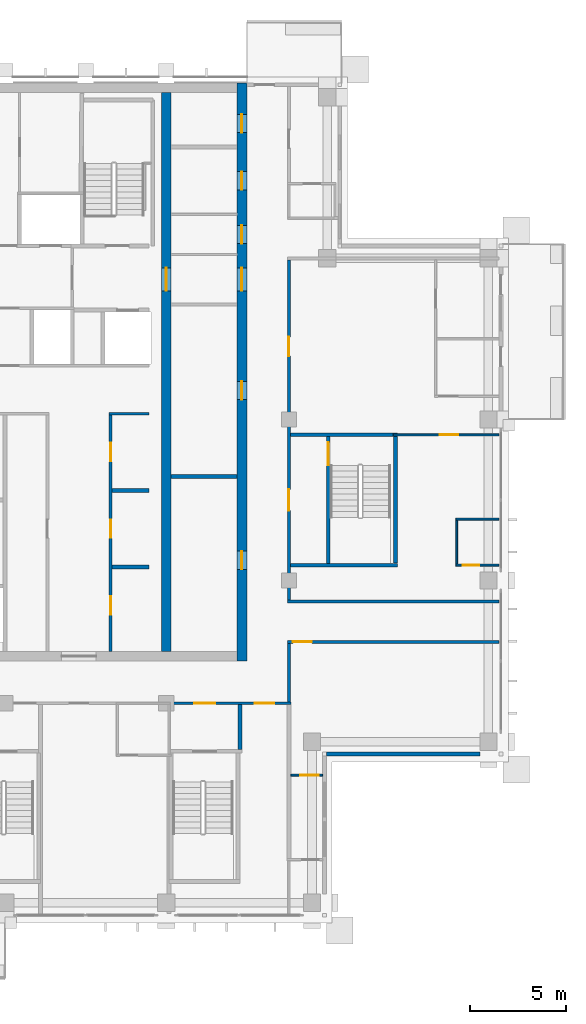
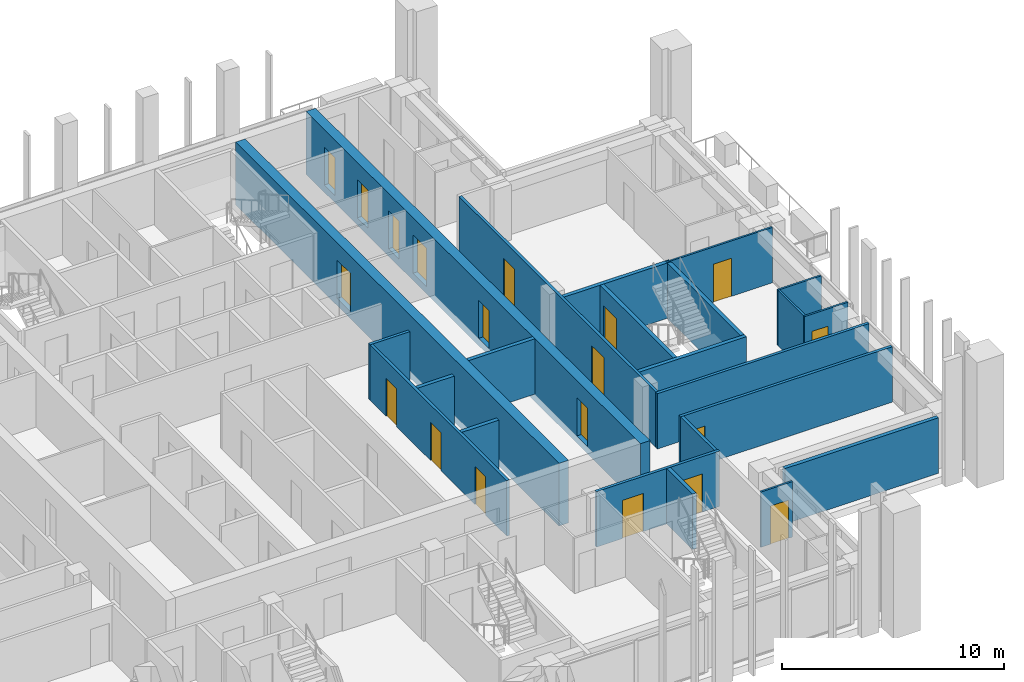
# One storey, part 9 of 16: 23 walls, 19 doors, 19 openings.
"""IFC4 building model written with IfcOpenShell, lengths in metres."""

from ifc_helpers import new_model, si_unit, direction, frame, frame_2d, origin, place, context, subcontext, project, spatial, rectangle, extrude, material, layer, layer_set, type_object, element, fill, save


model = new_model("IFC4")

# Units and contexts
model_context = context("Model", 3, precision=1e-05, world=origin(), true_north=direction((0.0, 1.0)))
body_context = subcontext(model_context, "Body", "Model", "MODEL_VIEW")
ifc_project = project(units=[si_unit("LENGTHUNIT", "METRE"), si_unit("AREAUNIT", "SQUARE_METRE"), si_unit("VOLUMEUNIT", "CUBIC_METRE"), si_unit("PLANEANGLEUNIT", "RADIAN"), si_unit("MASSUNIT", "GRAM", prefix="KILO")], contexts=[model_context])

# Site, building, storey
site_placement = place(None, origin())
site = spatial("IfcSite", under=ifc_project, at=site_placement, CompositionType="ELEMENT")
building_placement = place(site_placement, origin())
building = spatial("IfcBuilding", under=site, at=building_placement, Name="Vermilion Ogive Tower", CompositionType="ELEMENT")
storey_placement = place(building_placement, frame((0.0, 0.0, 233.800048828125)))
storey = spatial("IfcBuildingStorey", under=building, at=storey_placement, Name="L61", CompositionType="ELEMENT", Elevation=233.800048828125)

# Wall, openings, doors
ifc_material_1 = material(Name="Concrete B60", Category="concrete")
ifc_layer_1 = layer(ifc_material_1, 0.5)
ifc_layer_set_1 = layer_set([ifc_layer_1], Name="Core wall 500 B60")
wall_type_1 = type_object("IfcWallType", Name="Core wall 500 B60", PredefinedType="SHEAR", material=ifc_layer_set_1)
wall_1_placement = place(storey_placement, frame((12.35009765625, -8.39990234375, -0.400146484375), z_axis=(0.0, 0.0, 1.0), x_axis=(0.0, 1.0, 0.0)))
wall_1 = element("IfcWall", 1, at=wall_1_placement, inside=storey, type_object=wall_type_1, Name="L61-CORE-E", PredefinedType="SHEAR", context=body_context, shape_type="SweptSolid", body=[
    extrude(rectangle(XDim=30.14990234375, YDim=0.5, at=frame_2d((15.074951171875, 0.0))), origin(), (0.0, 0.0, 1.0), 3.4501953125),
])
opening_1_placement = place(wall_1_placement, frame((4.78759765625, 0.0, 0.39990234375)))
opening_1 = element("IfcOpeningElement", 2, at=opening_1_placement, cuts=wall_1, Name="Opening DAC106", PredefinedType="OPENING", context=body_context, shape_type="SweptSolid", body=[
    extrude(rectangle(XDim=0.949951171875, YDim=2.10009765625, at=frame_2d((0.47509765625, 1.050048828125))), frame((0.0, 0.260009765625, 0.0), z_axis=(0.0, -1.0, 0.0), x_axis=(1.0, 0.0, 0.0)), (0.0, 0.0, 1.0), 0.52001953125),
])
opening_2_placement = place(wall_1_placement, frame((13.6376953125, 0.0, 0.39990234375)))
opening_2 = element("IfcOpeningElement", 3, at=opening_2_placement, cuts=wall_1, Name="Opening DAC107", PredefinedType="OPENING", context=body_context, shape_type="SweptSolid", body=[
    extrude(rectangle(XDim=0.949951171875, YDim=2.10009765625, at=frame_2d((0.47509765625, 1.050048828125))), frame((0.0, 0.260009765625, 0.0), z_axis=(0.0, -1.0, 0.0), x_axis=(1.0, 0.0, 0.0)), (0.0, 0.0, 1.0), 0.52001953125),
])
opening_3_placement = place(wall_1_placement, frame((21.7705078125, 0.0, 0.39990234375)))
opening_3 = element("IfcOpeningElement", 4, at=opening_3_placement, cuts=wall_1, Name="Opening DAC108", PredefinedType="OPENING", context=body_context, shape_type="SweptSolid", body=[
    extrude(rectangle(XDim=0.949951171875, YDim=2.10009765625, at=frame_2d((0.47509765625, 1.050048828125))), frame((0.0, 0.260009765625, 0.0), z_axis=(0.0, -1.0, 0.0), x_axis=(1.0, 0.0, 0.0)), (0.0, 0.0, 1.0), 0.52001953125),
])
opening_4_placement = place(wall_1_placement, frame((24.57568359375, 0.0, 0.39990234375)))
opening_4 = element("IfcOpeningElement", 5, at=opening_4_placement, cuts=wall_1, Name="Opening DAC109", PredefinedType="OPENING", context=body_context, shape_type="SweptSolid", body=[
    extrude(rectangle(XDim=0.949951171875, YDim=2.10009765625, at=frame_2d((0.47509765625, 1.050048828125))), frame((0.0, 0.260009765625, 0.0), z_axis=(0.0, -1.0, 0.0), x_axis=(1.0, 0.0, 0.0)), (0.0, 0.0, 1.0), 0.52001953125),
])
opening_5_placement = place(wall_1_placement, frame((27.555419921875, 0.0, 0.39990234375)))
opening_5 = element("IfcOpeningElement", 6, at=opening_5_placement, cuts=wall_1, Name="Opening DAC110", PredefinedType="OPENING", context=body_context, shape_type="SweptSolid", body=[
    extrude(rectangle(XDim=0.949951171875, YDim=2.10009765625, at=frame_2d((0.47509765625, 1.050048828125))), frame((0.0, 0.260009765625, 0.0), z_axis=(0.0, -1.0, 0.0), x_axis=(1.0, 0.0, 0.0)), (0.0, 0.0, 1.0), 0.52001953125),
])
opening_6_placement = place(wall_1_placement, frame((19.300048828125, 0.0, 0.39990234375)))
opening_6 = element("IfcOpeningElement", 7, at=opening_6_placement, cuts=wall_1, Name="Opening DAL025", PredefinedType="OPENING", context=body_context, shape_type="SweptSolid", body=[
    extrude(rectangle(XDim=1.199951171875, YDim=2.10009765625, at=frame_2d((0.60009765625, 1.050048828125))), frame((0.0, 0.260009765625, 0.0), z_axis=(0.0, -1.0, 0.0), x_axis=(1.0, 0.0, 0.0)), (0.0, 0.0, 1.0), 0.52001953125),
])
ifc_material_2 = material(Name="Timber door leaf", Category="wood")
door_type_1 = type_object("IfcDoorType", Name="Link door 1200 x 2100 FD60S", OperationType="SINGLE_SWING_LEFT", PredefinedType="DOOR", material=ifc_material_2)
door_1_placement = place(opening_6_placement, origin())
door_1 = element("IfcDoor", 8, at=door_1_placement, inside=storey, type_object=door_type_1, Name="L61-CKE-XL", OperationType="SINGLE_SWING_LEFT", OverallHeight=2.10009765625, OverallWidth=1.199951171875, PredefinedType="DOOR", context=body_context, shape_type="SweptSolid", body=[
    extrude(rectangle(XDim=1.199951171875, YDim=2.10009765625, at=frame_2d((0.60009765625, 1.050048828125))), frame((0.0, 0.02490234375, 0.0), z_axis=(0.0, -1.0, 0.0), x_axis=(1.0, 0.0, 0.0)), (0.0, 0.0, 1.0), 0.050048828125),
])
fill(opening_6, door_1)
ifc_material_3 = material(Name="Timber door leaf", Category="wood")
door_type_2 = type_object("IfcDoorType", Name="Service door 950 x 2100 FD60", OperationType="SINGLE_SWING_LEFT", PredefinedType="DOOR", material=ifc_material_3)
door_2_placement = place(opening_1_placement, origin())
door_2 = element("IfcDoor", 9, at=door_2_placement, inside=storey, type_object=door_type_2, Name="L61-CKE-XR0", OperationType="SINGLE_SWING_LEFT", OverallHeight=2.10009765625, OverallWidth=0.949951171875, PredefinedType="DOOR", context=body_context, shape_type="SweptSolid", body=[
    extrude(rectangle(XDim=0.949951171875, YDim=2.10009765625, at=frame_2d((0.47509765625, 1.050048828125))), frame((0.0, 0.02490234375, 0.0), z_axis=(0.0, -1.0, 0.0), x_axis=(1.0, 0.0, 0.0)), (0.0, 0.0, 1.0), 0.050048828125),
])
fill(opening_1, door_2)
door_3_placement = place(opening_2_placement, origin())
door_3 = element("IfcDoor", 10, at=door_3_placement, inside=storey, type_object=door_type_2, Name="L61-CKE-XR1", OperationType="SINGLE_SWING_LEFT", OverallHeight=2.10009765625, OverallWidth=0.949951171875, PredefinedType="DOOR", context=body_context, shape_type="SweptSolid", body=[
    extrude(rectangle(XDim=0.949951171875, YDim=2.10009765625, at=frame_2d((0.47509765625, 1.050048828125))), frame((0.0, 0.02490234375, 0.0), z_axis=(0.0, -1.0, 0.0), x_axis=(1.0, 0.0, 0.0)), (0.0, 0.0, 1.0), 0.050048828125),
])
fill(opening_2, door_3)
door_4_placement = place(opening_3_placement, origin())
door_4 = element("IfcDoor", 11, at=door_4_placement, inside=storey, type_object=door_type_2, Name="L61-CKE-XR2", OperationType="SINGLE_SWING_LEFT", OverallHeight=2.10009765625, OverallWidth=0.949951171875, PredefinedType="DOOR", context=body_context, shape_type="SweptSolid", body=[
    extrude(rectangle(XDim=0.949951171875, YDim=2.10009765625, at=frame_2d((0.47509765625, 1.050048828125))), frame((0.0, 0.02490234375, 0.0), z_axis=(0.0, -1.0, 0.0), x_axis=(1.0, 0.0, 0.0)), (0.0, 0.0, 1.0), 0.050048828125),
])
fill(opening_3, door_4)
door_5_placement = place(opening_4_placement, origin())
door_5 = element("IfcDoor", 12, at=door_5_placement, inside=storey, type_object=door_type_2, Name="L61-CKE-XR3", OperationType="SINGLE_SWING_LEFT", OverallHeight=2.10009765625, OverallWidth=0.949951171875, PredefinedType="DOOR", context=body_context, shape_type="SweptSolid", body=[
    extrude(rectangle(XDim=0.949951171875, YDim=2.10009765625, at=frame_2d((0.47509765625, 1.050048828125))), frame((0.0, 0.02490234375, 0.0), z_axis=(0.0, -1.0, 0.0), x_axis=(1.0, 0.0, 0.0)), (0.0, 0.0, 1.0), 0.050048828125),
])
fill(opening_4, door_5)
door_6_placement = place(opening_5_placement, origin())
door_6 = element("IfcDoor", 13, at=door_6_placement, inside=storey, type_object=door_type_2, Name="L61-CKE-XR4", OperationType="SINGLE_SWING_LEFT", OverallHeight=2.10009765625, OverallWidth=0.949951171875, PredefinedType="DOOR", context=body_context, shape_type="SweptSolid", body=[
    extrude(rectangle(XDim=0.949951171875, YDim=2.10009765625, at=frame_2d((0.47509765625, 1.050048828125))), frame((0.0, 0.02490234375, 0.0), z_axis=(0.0, -1.0, 0.0), x_axis=(1.0, 0.0, 0.0)), (0.0, 0.0, 1.0), 0.050048828125),
])
fill(opening_5, door_6)

# Wall, opening, door
wall_2_placement = place(storey_placement, frame((8.39990234375, -7.89990234375, -0.400146484375), z_axis=(0.0, 0.0, 1.0), x_axis=(0.0, 1.0, 0.0)))
wall_2 = element("IfcWall", 14, at=wall_2_placement, inside=storey, type_object=wall_type_1, Name="L61-CORE-WEB2", PredefinedType="SHEAR", context=body_context, shape_type="SweptSolid", body=[
    extrude(rectangle(XDim=29.14990234375, YDim=0.5, at=frame_2d((14.574951171875, 0.0))), origin(), (0.0, 0.0, 1.0), 3.4501953125),
])
opening_7_placement = place(wall_2_placement, frame((18.800048828125, 0.0, 0.39990234375)))
opening_7 = element("IfcOpeningElement", 15, at=opening_7_placement, cuts=wall_2, Name="Opening DAO020", PredefinedType="OPENING", context=body_context, shape_type="SweptSolid", body=[
    extrude(rectangle(XDim=1.199951171875, YDim=2.10009765625, at=frame_2d((0.60009765625, 1.050048828125))), frame((0.0, 0.260009765625, 0.0), z_axis=(0.0, -1.0, 0.0), x_axis=(1.0, 0.0, 0.0)), (0.0, 0.0, 1.0), 0.52001953125),
])
door_7_placement = place(opening_7_placement, origin())
door_7 = element("IfcDoor", 16, at=door_7_placement, inside=storey, type_object=door_type_1, Name="L61-CKE-XW", OperationType="SINGLE_SWING_LEFT", OverallHeight=2.10009765625, OverallWidth=1.199951171875, PredefinedType="DOOR", context=body_context, shape_type="SweptSolid", body=[
    extrude(rectangle(XDim=1.199951171875, YDim=2.10009765625, at=frame_2d((0.60009765625, 1.050048828125))), frame((0.0, 0.02490234375, 0.0), z_axis=(0.0, -1.0, 0.0), x_axis=(1.0, 0.0, 0.0)), (0.0, 0.0, 1.0), 0.050048828125),
])
fill(opening_7, door_7)

ifc_material_4 = material(Name="Gypsum board partition on steel studs", Category="steel")
ifc_layer_2 = layer(ifc_material_4, 0.10009765625)
ifc_layer_set_2 = layer_set([ifc_layer_2], Name="Partition 100 bath")
wall_type_2 = type_object("IfcWallType", Name="Partition 100 bath", PredefinedType="PARTITIONING", material=ifc_layer_set_2)
wall_3_placement = place(storey_placement, frame((23.501953125, -3.39990234375, 0.0), z_axis=(0.0, 0.0, 1.0), x_axis=(1.0, 0.0, 0.0)))
wall_3 = element("IfcWall", 17, at=wall_3_placement, inside=storey, type_object=wall_type_2, Name="L61-W-W022", PredefinedType="PARTITIONING", context=body_context, shape_type="SweptSolid", body=[
    extrude(rectangle(XDim=2.248046875, YDim=0.10009765625, at=frame_2d((1.1240234375, 0.0))), origin(), (0.0, 0.0, 1.0), 3.050048828125),
])
opening_8_placement = place(wall_3_placement, frame((0.373046875, 0.0, 0.0)))
opening_8 = element("IfcOpeningElement", 18, at=opening_8_placement, cuts=wall_3, Name="Opening D5G2020", PredefinedType="OPENING", context=body_context, shape_type="SweptSolid", body=[
    extrude(rectangle(XDim=0.85009765625, YDim=2.10009765625, at=frame_2d((0.425048828125, 1.050048828125))), frame((0.0, 0.06005859375, 0.0), z_axis=(0.0, -1.0, 0.0), x_axis=(1.0, 0.0, 0.0)), (0.0, 0.0, 1.0), 0.1201171875),
])
ifc_material_5 = material(Name="Timber door leaf", Category="wood")
door_type_3 = type_object("IfcDoorType", Name="Bath door 850 x 2100 FD30", OperationType="SINGLE_SWING_LEFT", PredefinedType="DOOR", material=ifc_material_5)
door_8_placement = place(opening_8_placement, origin())
door_8 = element("IfcDoor", 19, at=door_8_placement, inside=storey, type_object=door_type_3, Name="L61-D-D020", OperationType="SINGLE_SWING_LEFT", OverallHeight=2.10009765625, OverallWidth=0.85009765625, PredefinedType="DOOR", context=body_context, shape_type="SweptSolid", body=[
    extrude(rectangle(XDim=0.85009765625, YDim=2.10009765625, at=frame_2d((0.425048828125, 1.050048828125))), frame((0.0, 0.02490234375, 0.0), z_axis=(0.0, -1.0, 0.0), x_axis=(1.0, 0.0, 0.0)), (0.0, 0.0, 1.0), 0.050048828125),
])
fill(opening_8, door_8)

# Walls
wall_4_placement = place(storey_placement, frame((23.501953125, -1.0, 0.0), z_axis=(0.0, 0.0, 1.0), x_axis=(1.0, 0.0, 0.0)))
element("IfcWall", 20, at=wall_4_placement, inside=storey, type_object=wall_type_2, Name="L61-W-W023", PredefinedType="PARTITIONING", context=body_context, shape_type="SweptSolid", body=[
    extrude(rectangle(XDim=2.248046875, YDim=0.10009765625, at=frame_2d((1.1240234375, 0.0))), origin(), (0.0, 0.0, 1.0), 3.050048828125),
])
wall_5_placement = place(storey_placement, frame((23.550048828125, -3.347900390625, 0.0), z_axis=(0.0, 0.0, 1.0), x_axis=(0.0, 1.0, 0.0)))
element("IfcWall", 21, at=wall_5_placement, inside=storey, type_object=wall_type_2, Name="L61-W-W076", PredefinedType="PARTITIONING", context=body_context, shape_type="SweptSolid", body=[
    extrude(rectangle(XDim=2.2958984375, YDim=0.10009765625, at=frame_2d((1.14794921875, 0.0))), origin(), (0.0, 0.0, 1.0), 3.050048828125),
])

# Wall, opening, door
ifc_material_6 = material(Name="Gypsum board partition on steel studs", Category="steel")
ifc_layer_3 = layer(ifc_material_6, 0.10009765625)
ifc_layer_set_3 = layer_set([ifc_layer_3], Name="Partition 100 inner")
wall_type_3 = type_object("IfcWallType", Name="Partition 100 inner", PredefinedType="PARTITIONING", material=ifc_layer_set_3)
wall_6_placement = place(storey_placement, frame((14.89990234375, -14.349853515625, 0.0), z_axis=(0.0, 0.0, 1.0), x_axis=(1.0, 0.0, 0.0)))
wall_6 = element("IfcWall", 22, at=wall_6_placement, inside=storey, type_object=wall_type_3, Name="L61-W-W007", PredefinedType="PARTITIONING", context=body_context, shape_type="SweptSolid", body=[
    extrude(rectangle(XDim=1.650146484375, YDim=0.10009765625, at=frame_2d((0.8251953125, 0.0))), origin(), (0.0, 0.0, 1.0), 3.050048828125),
])
opening_9_placement = place(wall_6_placement, frame((0.500244140625, 0.0, 0.0)))
opening_9 = element("IfcOpeningElement", 23, at=opening_9_placement, cuts=wall_6, Name="Opening D5G2014", PredefinedType="OPENING", context=body_context, shape_type="SweptSolid", body=[
    extrude(rectangle(XDim=0.949951171875, YDim=2.10009765625, at=frame_2d((0.47509765625, 1.050048828125))), frame((0.0, 0.06005859375, 0.0), z_axis=(0.0, -1.0, 0.0), x_axis=(1.0, 0.0, 0.0)), (0.0, 0.0, 1.0), 0.1201171875),
])
ifc_material_7 = material(Name="Timber door leaf", Category="wood")
door_type_4 = type_object("IfcDoorType", Name="Inner door 950 x 2100 FD30", OperationType="SINGLE_SWING_LEFT", PredefinedType="DOOR", material=ifc_material_7)
door_9_placement = place(opening_9_placement, origin())
door_9 = element("IfcDoor", 24, at=door_9_placement, inside=storey, type_object=door_type_4, Name="L61-D-D014", OperationType="SINGLE_SWING_RIGHT", OverallHeight=2.10009765625, OverallWidth=0.949951171875, PredefinedType="DOOR", context=body_context, shape_type="SweptSolid", body=[
    extrude(rectangle(XDim=0.949951171875, YDim=2.10009765625, at=frame_2d((0.47509765625, 1.050048828125))), frame((0.0, 0.02490234375, 0.0), z_axis=(0.0, -1.0, 0.0), x_axis=(1.0, 0.0, 0.0)), (0.0, 0.0, 1.0), 0.050048828125),
])
fill(opening_9, door_9)

wall_7_placement = place(storey_placement, frame((20.25, 3.39990234375, 0.0), z_axis=(0.0, 0.0, 1.0), x_axis=(1.0, 0.0, 0.0)))
wall_7 = element("IfcWall", 25, at=wall_7_placement, inside=storey, type_object=wall_type_3, Name="L61-W-W028", PredefinedType="PARTITIONING", context=body_context, shape_type="SweptSolid", body=[
    extrude(rectangle(XDim=5.5, YDim=0.10009765625, at=frame_2d((2.75, 0.0))), origin(), (0.0, 0.0, 1.0), 3.050048828125),
])
opening_10_placement = place(wall_7_placement, frame((2.425048828125, 0.0, 0.0)))
opening_10 = element("IfcOpeningElement", 26, at=opening_10_placement, cuts=wall_7, Name="Opening D5G2019", PredefinedType="OPENING", context=body_context, shape_type="SweptSolid", body=[
    extrude(rectangle(XDim=0.949951171875, YDim=2.10009765625, at=frame_2d((0.47509765625, 1.050048828125))), frame((0.0, 0.06005859375, 0.0), z_axis=(0.0, -1.0, 0.0), x_axis=(1.0, 0.0, 0.0)), (0.0, 0.0, 1.0), 0.1201171875),
])
door_10_placement = place(opening_10_placement, origin())
door_10 = element("IfcDoor", 27, at=door_10_placement, inside=storey, type_object=door_type_4, Name="L61-D-D019", OperationType="SINGLE_SWING_LEFT", OverallHeight=2.10009765625, OverallWidth=0.949951171875, PredefinedType="DOOR", context=body_context, shape_type="SweptSolid", body=[
    extrude(rectangle(XDim=0.949951171875, YDim=2.10009765625, at=frame_2d((0.47509765625, 1.050048828125))), frame((0.0, 0.02490234375, 0.0), z_axis=(0.0, -1.0, 0.0), x_axis=(1.0, 0.0, 0.0)), (0.0, 0.0, 1.0), 0.050048828125),
])
fill(opening_10, door_10)

# Wall, openings, doors
ifc_material_8 = material(Name="Gypsum board partition on steel studs", Category="steel")
ifc_layer_4 = layer(ifc_material_8, 0.14990234375)
ifc_layer_set_4 = layer_set([ifc_layer_4], Name="Partition 150 corridor")
wall_type_4 = type_object("IfcWallType", Name="Partition 150 corridor", PredefinedType="PARTITIONING", material=ifc_layer_set_4)
wall_8_placement = place(storey_placement, frame((8.5, -10.60009765625, 0.0), z_axis=(0.0, 0.0, 1.0), x_axis=(1.0, 0.0, 0.0)))
wall_8 = element("IfcWall", 28, at=wall_8_placement, inside=storey, type_object=wall_type_4, Name="L61-W-W014", PredefinedType="PARTITIONING", context=body_context, shape_type="SweptSolid", body=[
    extrude(rectangle(XDim=6.39990234375, YDim=0.14990234375, at=frame_2d((3.199951171875, 0.0))), origin(), (0.0, 0.0, 1.0), 3.050048828125),
])
opening_11_placement = place(wall_8_placement, frame((1.35009765625, 0.0, 0.0)))
opening_11 = element("IfcOpeningElement", 29, at=opening_11_placement, cuts=wall_8, Name="Opening D5G2027", PredefinedType="OPENING", context=body_context, shape_type="SweptSolid", body=[
    extrude(rectangle(XDim=1.10009765625, YDim=2.10009765625, at=frame_2d((0.550048828125, 1.050048828125))), frame((0.0, 0.0849609375, 0.0), z_axis=(0.0, -1.0, 0.0), x_axis=(1.0, 0.0, 0.0)), (0.0, 0.0, 1.0), 0.169921875),
])
opening_12_placement = place(wall_8_placement, frame((4.52490234375, 0.0, 0.0)))
opening_12 = element("IfcOpeningElement", 30, at=opening_12_placement, cuts=wall_8, Name="Opening D5G2034", PredefinedType="OPENING", context=body_context, shape_type="SweptSolid", body=[
    extrude(rectangle(XDim=1.0, YDim=2.10009765625, at=frame_2d((0.5, 1.050048828125))), frame((0.0, 0.0849609375, 0.0), z_axis=(0.0, -1.0, 0.0), x_axis=(1.0, 0.0, 0.0)), (0.0, 0.0, 1.0), 0.169921875),
])
ifc_material_9 = material(Name="Timber door leaf", Category="wood")
door_type_5 = type_object("IfcDoorType", Name="Stair door 1100 x 2100 FD60S", OperationType="SINGLE_SWING_LEFT", PredefinedType="DOOR", material=ifc_material_9)
door_11_placement = place(opening_11_placement, origin())
door_11 = element("IfcDoor", 31, at=door_11_placement, inside=storey, type_object=door_type_5, Name="L61-D-D027", OperationType="SINGLE_SWING_RIGHT", OverallHeight=2.10009765625, OverallWidth=1.10009765625, PredefinedType="DOOR", context=body_context, shape_type="SweptSolid", body=[
    extrude(rectangle(XDim=1.10009765625, YDim=2.10009765625, at=frame_2d((0.550048828125, 1.050048828125))), frame((0.0, 0.02490234375, 0.0), z_axis=(0.0, -1.0, 0.0), x_axis=(1.0, 0.0, 0.0)), (0.0, 0.0, 1.0), 0.050048828125),
])
fill(opening_11, door_11)
ifc_material_10 = material(Name="Timber door leaf", Category="wood")
door_type_6 = type_object("IfcDoorType", Name="Unit door 1000 x 2100 FD30S", OperationType="SINGLE_SWING_LEFT", PredefinedType="DOOR", material=ifc_material_10)
door_12_placement = place(opening_12_placement, origin())
door_12 = element("IfcDoor", 32, at=door_12_placement, inside=storey, type_object=door_type_6, Name="L61-D-D034", OperationType="SINGLE_SWING_RIGHT", OverallHeight=2.10009765625, OverallWidth=1.0, PredefinedType="DOOR", context=body_context, shape_type="SweptSolid", body=[
    extrude(rectangle(XDim=1.0, YDim=2.10009765625, at=frame_2d((0.5, 1.050048828125))), frame((0.0, 0.02490234375, 0.0), z_axis=(0.0, -1.0, 0.0), x_axis=(1.0, 0.0, 0.0)), (0.0, 0.0, 1.0), 0.050048828125),
])
fill(opening_12, door_12)

# Wall, opening, door
wall_9_placement = place(storey_placement, frame((14.72509765625, -7.39990234375, 0.0), z_axis=(0.0, 0.0, 1.0), x_axis=(1.0, 0.0, 0.0)))
wall_9 = element("IfcWall", 33, at=wall_9_placement, inside=storey, type_object=wall_type_4, Name="L61-W-W016", PredefinedType="PARTITIONING", context=body_context, shape_type="SweptSolid", body=[
    extrude(rectangle(XDim=11.02490234375, YDim=0.14990234375, at=frame_2d((5.512451171875, 0.0))), origin(), (0.0, 0.0, 1.0), 3.050048828125),
])
opening_13_placement = place(wall_9_placement, frame((0.27490234375, 0.0, 0.0)))
opening_13 = element("IfcOpeningElement", 34, at=opening_13_placement, cuts=wall_9, Name="Opening D5G2013", PredefinedType="OPENING", context=body_context, shape_type="SweptSolid", body=[
    extrude(rectangle(XDim=1.0, YDim=2.10009765625, at=frame_2d((0.5, 1.050048828125))), frame((0.0, 0.0849609375, 0.0), z_axis=(0.0, -1.0, 0.0), x_axis=(1.0, 0.0, 0.0)), (0.0, 0.0, 1.0), 0.169921875),
])
door_13_placement = place(opening_13_placement, origin())
door_13 = element("IfcDoor", 35, at=door_13_placement, inside=storey, type_object=door_type_6, Name="L61-D-D013", OperationType="SINGLE_SWING_RIGHT", OverallHeight=2.10009765625, OverallWidth=1.0, PredefinedType="DOOR", context=body_context, shape_type="SweptSolid", body=[
    extrude(rectangle(XDim=1.0, YDim=2.10009765625, at=frame_2d((0.5, 1.050048828125))), frame((0.0, 0.02490234375, 0.0), z_axis=(0.0, -1.0, 0.0), x_axis=(1.0, 0.0, 0.0)), (0.0, 0.0, 1.0), 0.050048828125),
])
fill(opening_13, door_13)

# Walls
wall_10_placement = place(storey_placement, frame((14.72705078125, -5.300048828125, 0.0), z_axis=(0.0, 0.0, 1.0), x_axis=(1.0, 0.0, 0.0)))
element("IfcWall", 36, at=wall_10_placement, inside=storey, type_object=wall_type_4, Name="L61-W-W018", PredefinedType="PARTITIONING", context=body_context, shape_type="SweptSolid", body=[
    extrude(rectangle(XDim=11.02294921875, YDim=0.14990234375, at=frame_2d((5.511474609375, 0.0))), origin(), (0.0, 0.0, 1.0), 3.050048828125),
])
wall_11_placement = place(storey_placement, frame((14.800048828125, -10.52490234375, 0.0), z_axis=(0.0, 0.0, 1.0), x_axis=(0.0, 1.0, 0.0)))
element("IfcWall", 37, at=wall_11_placement, inside=storey, type_object=wall_type_4, Name="L61-W-W068", PredefinedType="PARTITIONING", context=body_context, shape_type="SweptSolid", body=[
    extrude(rectangle(XDim=3.0498046875, YDim=0.14990234375, at=frame_2d((1.52490234375, 0.0))), origin(), (0.0, 0.0, 1.0), 3.050048828125),
])

# Wall, openings, doors
wall_12_placement = place(storey_placement, frame((14.800048828125, -5.222900390625, 0.0), z_axis=(0.0, 0.0, 1.0), x_axis=(0.0, 1.0, 0.0)))
wall_12 = element("IfcWall", 38, at=wall_12_placement, inside=storey, type_object=wall_type_4, Name="L61-W-W069", PredefinedType="PARTITIONING", context=body_context, shape_type="SweptSolid", body=[
    extrude(rectangle(XDim=17.747802734375, YDim=0.14990234375, at=frame_2d((8.8740234375, 0.0))), origin(), (0.0, 0.0, 1.0), 3.050048828125),
])
opening_14_placement = place(wall_12_placement, frame((12.722900390625, 0.0, 0.0)))
opening_14 = element("IfcOpeningElement", 39, at=opening_14_placement, cuts=wall_12, Name="Opening D5G2018", PredefinedType="OPENING", context=body_context, shape_type="SweptSolid", body=[
    extrude(rectangle(XDim=1.0, YDim=2.10009765625, at=frame_2d((0.5, 1.050048828125))), frame((0.0, 0.0849609375, 0.0), z_axis=(0.0, -1.0, 0.0), x_axis=(1.0, 0.0, 0.0)), (0.0, 0.0, 1.0), 0.169921875),
])
opening_15_placement = place(wall_12_placement, frame((4.6728515625, 0.0, 0.0)))
opening_15 = element("IfcOpeningElement", 40, at=opening_15_placement, cuts=wall_12, Name="Opening D5G2029", PredefinedType="OPENING", context=body_context, shape_type="SweptSolid", body=[
    extrude(rectangle(XDim=1.10009765625, YDim=2.10009765625, at=frame_2d((0.550048828125, 1.050048828125))), frame((0.0, 0.0849609375, 0.0), z_axis=(0.0, -1.0, 0.0), x_axis=(1.0, 0.0, 0.0)), (0.0, 0.0, 1.0), 0.169921875),
])
door_14_placement = place(opening_15_placement, origin())
door_14 = element("IfcDoor", 41, at=door_14_placement, inside=storey, type_object=door_type_5, Name="L61-D-D029", OperationType="SINGLE_SWING_RIGHT", OverallHeight=2.10009765625, OverallWidth=1.10009765625, PredefinedType="DOOR", context=body_context, shape_type="SweptSolid", body=[
    extrude(rectangle(XDim=1.10009765625, YDim=2.10009765625, at=frame_2d((0.550048828125, 1.050048828125))), frame((0.0, 0.02490234375, 0.0), z_axis=(0.0, -1.0, 0.0), x_axis=(1.0, 0.0, 0.0)), (0.0, 0.0, 1.0), 0.050048828125),
])
fill(opening_15, door_14)
door_15_placement = place(opening_14_placement, origin())
door_15 = element("IfcDoor", 42, at=door_15_placement, inside=storey, type_object=door_type_6, Name="L61-D-D018", OperationType="SINGLE_SWING_LEFT", OverallHeight=2.10009765625, OverallWidth=1.0, PredefinedType="DOOR", context=body_context, shape_type="SweptSolid", body=[
    extrude(rectangle(XDim=1.0, YDim=2.10009765625, at=frame_2d((0.5, 1.050048828125))), frame((0.0, 0.02490234375, 0.0), z_axis=(0.0, -1.0, 0.0), x_axis=(1.0, 0.0, 0.0)), (0.0, 0.0, 1.0), 0.050048828125),
])
fill(opening_14, door_15)

# Wall
wall_13_placement = place(storey_placement, frame((5.425048828125, 4.5, 0.0), z_axis=(0.0, 0.0, 1.0), x_axis=(1.0, 0.0, 0.0)))
element("IfcWall", 43, at=wall_13_placement, inside=storey, type_object=wall_type_4, Name="L61-CK-W-W010", PredefinedType="PARTITIONING", context=body_context, shape_type="SweptSolid", body=[
    extrude(rectangle(XDim=2.074951171875, YDim=0.14990234375, at=frame_2d((1.03759765625, 0.0))), origin(), (0.0, 0.0, 1.0), 3.050048828125),
])

# Wall, openings, doors
wall_14_placement = place(storey_placement, frame((5.5, -7.89892578125, 0.0), z_axis=(0.0, 0.0, 1.0), x_axis=(0.0, 1.0, 0.0)))
wall_14 = element("IfcWall", 44, at=wall_14_placement, inside=storey, type_object=wall_type_4, Name="L61-CK-W-W038", PredefinedType="PARTITIONING", context=body_context, shape_type="SweptSolid", body=[
    extrude(rectangle(XDim=12.323974609375, YDim=0.14990234375, at=frame_2d((6.162109375, 0.0))), origin(), (0.0, 0.0, 1.0), 3.050048828125),
])
opening_16_placement = place(wall_14_placement, frame((1.923828125, 0.0, 0.0)))
opening_16 = element("IfcOpeningElement", 45, at=opening_16_placement, cuts=wall_14, Name="Opening DAA569", PredefinedType="OPENING", context=body_context, shape_type="SweptSolid", body=[
    extrude(rectangle(XDim=0.949951171875, YDim=2.10009765625, at=frame_2d((0.47509765625, 1.050048828125))), frame((0.0, 0.0849609375, 0.0), z_axis=(0.0, -1.0, 0.0), x_axis=(1.0, 0.0, 0.0)), (0.0, 0.0, 1.0), 0.169921875),
])
opening_17_placement = place(wall_14_placement, frame((5.923828125, 0.0, 0.0)))
opening_17 = element("IfcOpeningElement", 46, at=opening_17_placement, cuts=wall_14, Name="Opening DAA570", PredefinedType="OPENING", context=body_context, shape_type="SweptSolid", body=[
    extrude(rectangle(XDim=0.949951171875, YDim=2.10009765625, at=frame_2d((0.47509765625, 1.050048828125))), frame((0.0, 0.0849609375, 0.0), z_axis=(0.0, -1.0, 0.0), x_axis=(1.0, 0.0, 0.0)), (0.0, 0.0, 1.0), 0.169921875),
])
opening_18_placement = place(wall_14_placement, frame((9.923828125, 0.0, 0.0)))
opening_18 = element("IfcOpeningElement", 47, at=opening_18_placement, cuts=wall_14, Name="Opening DAA571", PredefinedType="OPENING", context=body_context, shape_type="SweptSolid", body=[
    extrude(rectangle(XDim=0.949951171875, YDim=2.10009765625, at=frame_2d((0.47509765625, 1.050048828125))), frame((0.0, 0.0849609375, 0.0), z_axis=(0.0, -1.0, 0.0), x_axis=(1.0, 0.0, 0.0)), (0.0, 0.0, 1.0), 0.169921875),
])
door_16_placement = place(opening_16_placement, origin())
door_16 = element("IfcDoor", 48, at=door_16_placement, inside=storey, type_object=door_type_2, Name="L61-CK-D-D009", OperationType="SINGLE_SWING_LEFT", OverallHeight=2.10009765625, OverallWidth=0.949951171875, PredefinedType="DOOR", context=body_context, shape_type="SweptSolid", body=[
    extrude(rectangle(XDim=0.949951171875, YDim=2.10009765625, at=frame_2d((0.47509765625, 1.050048828125))), frame((0.0, 0.02490234375, 0.0), z_axis=(0.0, -1.0, 0.0), x_axis=(1.0, 0.0, 0.0)), (0.0, 0.0, 1.0), 0.050048828125),
])
fill(opening_16, door_16)
door_17_placement = place(opening_17_placement, origin())
door_17 = element("IfcDoor", 49, at=door_17_placement, inside=storey, type_object=door_type_2, Name="L61-CK-D-D010", OperationType="SINGLE_SWING_LEFT", OverallHeight=2.10009765625, OverallWidth=0.949951171875, PredefinedType="DOOR", context=body_context, shape_type="SweptSolid", body=[
    extrude(rectangle(XDim=0.949951171875, YDim=2.10009765625, at=frame_2d((0.47509765625, 1.050048828125))), frame((0.0, 0.02490234375, 0.0), z_axis=(0.0, -1.0, 0.0), x_axis=(1.0, 0.0, 0.0)), (0.0, 0.0, 1.0), 0.050048828125),
])
fill(opening_17, door_17)
door_18_placement = place(opening_18_placement, origin())
door_18 = element("IfcDoor", 50, at=door_18_placement, inside=storey, type_object=door_type_2, Name="L61-CK-D-D011", OperationType="SINGLE_SWING_RIGHT", OverallHeight=2.10009765625, OverallWidth=0.949951171875, PredefinedType="DOOR", context=body_context, shape_type="SweptSolid", body=[
    extrude(rectangle(XDim=0.949951171875, YDim=2.10009765625, at=frame_2d((0.47509765625, 1.050048828125))), frame((0.0, 0.02490234375, 0.0), z_axis=(0.0, -1.0, 0.0), x_axis=(1.0, 0.0, 0.0)), (0.0, 0.0, 1.0), 0.050048828125),
])
fill(opening_18, door_18)

# Walls
ifc_material_11 = material(Name="Gypsum board partition on steel studs", Category="steel")
ifc_layer_5 = layer(ifc_material_11, 0.199951171875)
ifc_layer_set_5 = layer_set([ifc_layer_5], Name="Partition 200 party")
wall_type_5 = type_object("IfcWallType", Name="Partition 200 party", PredefinedType="PARTITIONING", material=ifc_layer_set_5)
wall_15_placement = place(storey_placement, frame((12.25, -12.998046875, 0.0), z_axis=(0.0, 0.0, 1.0), x_axis=(0.0, 1.0, 0.0)))
element("IfcWall", 51, at=wall_15_placement, inside=storey, type_object=wall_type_5, Name="L61-W-W065", PredefinedType="PARTITIONING", context=body_context, shape_type="SweptSolid", body=[
    extrude(rectangle(XDim=2.322998046875, YDim=0.199951171875, at=frame_2d((1.16162109375, 0.0))), origin(), (0.0, 0.0, 1.0), 3.050048828125),
])
for number, where, z_axis, x_axis, name in (
    (52, (5.574951171875, -3.5, 0.0), (0.0, 0.0, 1.0), (1.0, 0.0, 0.0), "L61-CK-W-W003"),
    (53, (5.574951171875, 0.5, 0.0), (0.0, 0.0, 1.0), (1.0, 0.0, 0.0), "L61-CK-W-W006"),
):
    element("IfcWall", number, at=place(storey_placement, frame(where, z_axis=z_axis, x_axis=x_axis)), inside=storey, type_object=wall_type_5, Name=name, PredefinedType="PARTITIONING", context=body_context, shape_type="SweptSolid", body=[
        extrude(rectangle(XDim=1.925048828125, YDim=0.199951171875, at=frame_2d((0.96240234375, 0.0))), origin(), (0.0, 0.0, 1.0), 3.050048828125),
    ])
wall_16_placement = place(storey_placement, frame((8.65087890625, 1.22509765625, 0.0), z_axis=(0.0, 0.0, 1.0), x_axis=(1.0, 0.0, 0.0)))
element("IfcWall", 54, at=wall_16_placement, inside=storey, type_object=wall_type_5, Name="L61-CKE-W-W001", PredefinedType="PARTITIONING", context=body_context, shape_type="SweptSolid", body=[
    extrude(rectangle(XDim=3.4482421875, YDim=0.199951171875, at=frame_2d((1.72412109375, 0.0))), origin(), (0.0, 0.0, 1.0), 3.050048828125),
])
ifc_material_12 = material(Name="Concrete B60", Category="concrete")
ifc_layer_6 = layer(ifc_material_12, 0.199951171875)
ifc_layer_set_6 = layer_set([ifc_layer_6], Name="Stair shaft wall 200 Concrete B60")
wall_type_6 = type_object("IfcWallType", Name="Stair shaft wall 200 Concrete B60", PredefinedType="SOLIDWALL", material=ifc_layer_set_6)
wall_17_placement = place(storey_placement, frame((14.876953125, -3.39990234375, 0.0), z_axis=(0.0, 0.0, 1.0), x_axis=(1.0, 0.0, 0.0)))
element("IfcWall", 55, at=wall_17_placement, inside=storey, type_object=wall_type_6, Name="L61-W-W021", PredefinedType="SOLIDWALL", context=body_context, shape_type="SweptSolid", body=[
    extrude(rectangle(XDim=5.571044921875, YDim=0.199951171875, at=frame_2d((2.78564453125, 0.0))), origin(), (0.0, 0.0, 1.0), 3.050048828125),
])
wall_18_placement = place(storey_placement, frame((14.875, 3.39990234375, 0.0), z_axis=(0.0, 0.0, 1.0), x_axis=(1.0, 0.0, 0.0)))
element("IfcWall", 56, at=wall_18_placement, inside=storey, type_object=wall_type_6, Name="L61-W-W027", PredefinedType="SOLIDWALL", context=body_context, shape_type="SweptSolid", body=[
    extrude(rectangle(XDim=5.574951171875, YDim=0.199951171875, at=frame_2d((2.78759765625, 0.0))), origin(), (0.0, 0.0, 1.0), 3.050048828125),
])

# Wall, opening, door
wall_19_placement = place(storey_placement, frame((16.85009765625, -3.300048828125, 0.0), z_axis=(0.0, 0.0, 1.0), x_axis=(0.0, 1.0, 0.0)))
wall_19 = element("IfcWall", 57, at=wall_19_placement, inside=storey, type_object=wall_type_6, Name="L61-W-W072", PredefinedType="SOLIDWALL", context=body_context, shape_type="SweptSolid", body=[
    extrude(rectangle(XDim=6.60009765625, YDim=0.199951171875, at=frame_2d((3.300048828125, 0.0))), origin(), (0.0, 0.0, 1.0), 3.050048828125),
])
opening_19_placement = place(wall_19_placement, frame((5.10009765625, 0.0, 0.0)))
opening_19 = element("IfcOpeningElement", 58, at=opening_19_placement, cuts=wall_19, Name="Opening D5G2030", PredefinedType="OPENING", context=body_context, shape_type="SweptSolid", body=[
    extrude(rectangle(XDim=1.199951171875, YDim=2.10009765625, at=frame_2d((0.60009765625, 1.050048828125))), frame((0.0, 0.10986328125, 0.0), z_axis=(0.0, -1.0, 0.0), x_axis=(1.0, 0.0, 0.0)), (0.0, 0.0, 1.0), 0.219970703125),
])
ifc_material_13 = material(Name="Timber door leaf", Category="wood")
door_type_7 = type_object("IfcDoorType", Name="Stair door 1200 x 2100 FD60S", OperationType="SINGLE_SWING_LEFT", PredefinedType="DOOR", material=ifc_material_13)
door_19_placement = place(opening_19_placement, origin())
door_19 = element("IfcDoor", 59, at=door_19_placement, inside=storey, type_object=door_type_7, Name="L61-D-D030", OperationType="SINGLE_SWING_LEFT", OverallHeight=2.10009765625, OverallWidth=1.199951171875, PredefinedType="DOOR", context=body_context, shape_type="SweptSolid", body=[
    extrude(rectangle(XDim=1.199951171875, YDim=2.10009765625, at=frame_2d((0.60009765625, 1.050048828125))), frame((0.0, 0.02490234375, 0.0), z_axis=(0.0, -1.0, 0.0), x_axis=(1.0, 0.0, 0.0)), (0.0, 0.0, 1.0), 0.050048828125),
])
fill(opening_19, door_19)

# Walls
wall_20_placement = place(storey_placement, frame((20.35009765625, -3.298095703125, 0.0), z_axis=(0.0, 0.0, 1.0), x_axis=(0.0, 1.0, 0.0)))
element("IfcWall", 60, at=wall_20_placement, inside=storey, type_object=wall_type_6, Name="L61-W-W074", PredefinedType="SOLIDWALL", context=body_context, shape_type="SweptSolid", body=[
    extrude(rectangle(XDim=6.59814453125, YDim=0.199951171875, at=frame_2d((3.299072265625, 0.0))), origin(), (0.0, 0.0, 1.0), 3.050048828125),
])
ifc_material_14 = material(Name="Aluminium window wall framing", Category="aluminium")
ifc_layer_7 = layer(ifc_material_14, 0.199951171875)
ifc_layer_set_7 = layer_set([ifc_layer_7], Name="Window wall")
wall_type_7 = type_object("IfcWallType", Name="Window wall", PredefinedType="STANDARD", material=ifc_layer_set_7)
wall_21_placement = place(storey_placement, frame((16.75, -13.25, 0.0), z_axis=(0.0, 0.0, 1.0), x_axis=(1.0, 0.0, 0.0)))
element("IfcWall", 61, at=wall_21_placement, inside=storey, type_object=wall_type_7, Name="Window wall X21", PredefinedType="STANDARD", context=body_context, shape_type="SweptSolid", body=[
    extrude(rectangle(XDim=8.0, YDim=0.199951171875, at=frame_2d((4.0, 0.0))), origin(), (0.0, 0.0, 1.0), 3.050048828125),
])

save(model, "model.ifc")
